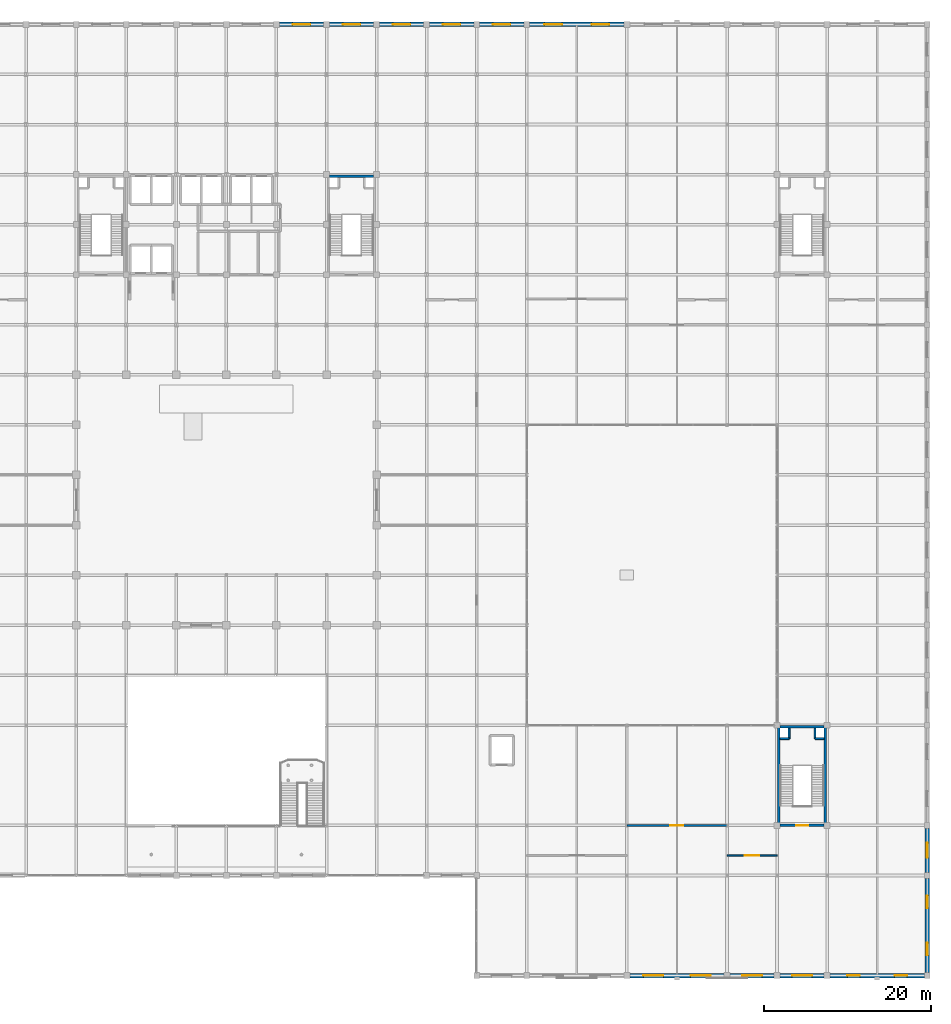
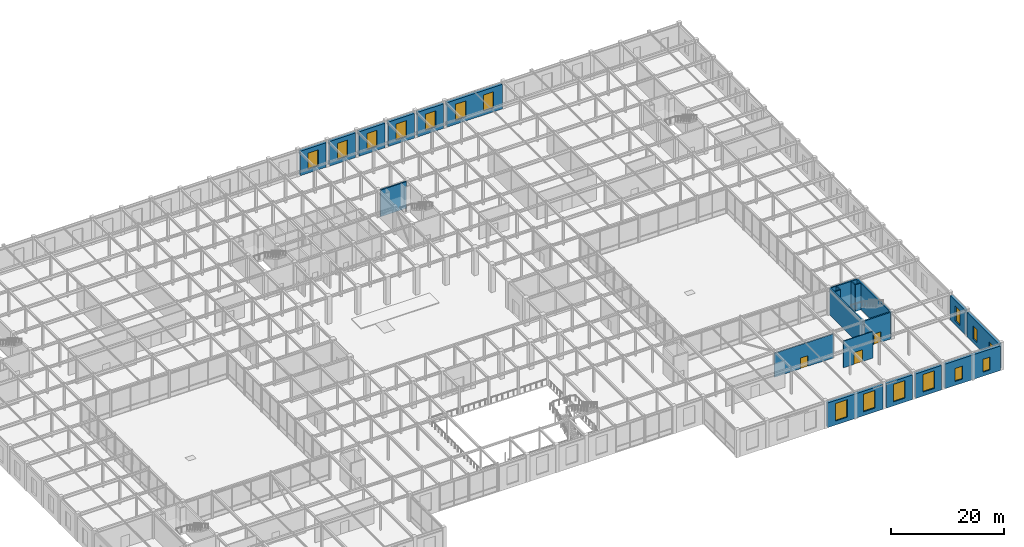
# One storey, part 103 of 108: 23 walls, 16 windows, 3 doors, 19 openings.
"""IFC4 building model written with IfcOpenShell, lengths in metres."""

from ifc_helpers import new_model, si_unit, direction, frame, frame_2d, origin, place, context, subcontext, project, spatial, rectangle, extrude, material, layer, layer_set, type_object, element, fill, save


model = new_model("IFC4")

# Units and contexts
model_context = context("Model", 3, precision=1e-05, world=origin(), true_north=direction((0.0, 1.0)))
body_context = subcontext(model_context, "Body", "Model", "MODEL_VIEW")
ifc_project = project(units=[si_unit("LENGTHUNIT", "METRE"), si_unit("AREAUNIT", "SQUARE_METRE"), si_unit("VOLUMEUNIT", "CUBIC_METRE"), si_unit("PLANEANGLEUNIT", "RADIAN"), si_unit("MASSUNIT", "GRAM", prefix="KILO")], contexts=[model_context])

# Site, building, storey
site_placement = place(None, origin())
site = spatial("IfcSite", under=ifc_project, at=site_placement, CompositionType="ELEMENT")
building_placement = place(site_placement, origin())
building = spatial("IfcBuilding", under=site, at=building_placement, Name="Zlatovratsky Civic Hall", CompositionType="ELEMENT")
storey_placement = place(building_placement, frame((0.0, 0.0, 6.0)))
storey = spatial("IfcBuildingStorey", under=building, at=storey_placement, Name="L02", CompositionType="ELEMENT", Elevation=6.0)

# Wall, opening, door
ifc_material_1 = material(Name="Acoustic ceramic blockwork", Category="masonry")
ifc_layer_1 = layer(ifc_material_1, 0.179931640625)
ifc_layer_set_1 = layer_set([ifc_layer_1], Name="Acoustic ceramic blockwork")
wall_type_1 = type_object("IfcWallType", Name="Wall_AcousticChamberPartition_180", PredefinedType="PARTITIONING", material=ifc_layer_set_1)
wall_1_placement = place(storey_placement, frame((144.0, 14.39990234375, 0.0), z_axis=(0.0, 0.0, 1.0), x_axis=(1.0, 0.0, 0.0)))
wall_1 = element("IfcWall", 1, at=wall_1_placement, inside=storey, type_object=wall_type_1, Name="WL-6123", PredefinedType="PARTITIONING", context=body_context, shape_type="SweptSolid", body=[
    extrude(rectangle(XDim=6.0, YDim=0.179931640625, at=frame_2d((3.0, 0.0))), origin(), (0.0, 0.0, 1.0), 5.760009765625),
])
opening_1_placement = place(wall_1_placement, frame((2.125, 0.0, 0.0)))
opening_1 = element("IfcOpeningElement", 2, at=opening_1_placement, cuts=wall_1, Name="Opening D-13", PredefinedType="OPENING", context=body_context, shape_type="SweptSolid", body=[
    extrude(rectangle(XDim=1.75, YDim=2.550048828125, at=frame_2d((0.875, 1.27490234375))), frame((0.0, 0.10498046875, 0.0), z_axis=(0.0, -1.0, 0.0), x_axis=(1.0, 0.0, 0.0)), (0.0, 0.0, 1.0), 0.209716796875),
])
ifc_material_2 = material(Name="Solid oak joinery in steel frame", Category="steel")
door_type_1 = type_object("IfcDoorType", Name="Door_CommitteeSuiteDouble_1750x2550", OperationType="DOUBLE_DOOR_SINGLE_SWING", PredefinedType="DOOR", material=ifc_material_2)
door_1_placement = place(opening_1_placement, origin())
door_1 = element("IfcDoor", 3, at=door_1_placement, inside=storey, type_object=door_type_1, Name="DR-5264", OperationType="DOUBLE_DOOR_SINGLE_SWING", OverallHeight=2.550048828125, OverallWidth=1.75, PredefinedType="DOOR", context=body_context, shape_type="SweptSolid", body=[
    extrude(rectangle(XDim=1.75, YDim=2.550048828125, at=frame_2d((0.875, 1.27490234375))), frame((0.0, 0.02490234375, 0.0), z_axis=(0.0, -1.0, 0.0), x_axis=(1.0, 0.0, 0.0)), (0.0, 0.0, 1.0), 0.050048828125),
])
fill(opening_1, door_1)

ifc_layer_2 = layer(ifc_material_1, 0.260009765625)
ifc_layer_set_2 = layer_set([ifc_layer_2], Name="Acoustic ceramic blockwork")
wall_type_2 = type_object("IfcWallType", Name="Wall_ArchiveCompartment_260", PredefinedType="PARTITIONING", material=ifc_layer_set_2)
wall_2_placement = place(storey_placement, frame((132.0, 18.0, 0.0), z_axis=(0.0, 0.0, 1.0), x_axis=(1.0, 0.0, 0.0)))
wall_2 = element("IfcWall", 4, at=wall_2_placement, inside=storey, type_object=wall_type_2, Name="WL-6130", PredefinedType="PARTITIONING", context=body_context, shape_type="SweptSolid", body=[
    extrude(rectangle(XDim=12.0, YDim=0.260009765625, at=frame_2d((6.0, 0.0))), origin(), (0.0, 0.0, 1.0), 5.177978515625),
])
opening_2_placement = place(wall_2_placement, frame((5.22509765625, 0.0, 0.0)))
opening_2 = element("IfcOpeningElement", 5, at=opening_2_placement, cuts=wall_2, Name="Opening D-15", PredefinedType="OPENING", context=body_context, shape_type="SweptSolid", body=[
    extrude(rectangle(XDim=1.550048828125, YDim=2.300048828125, at=frame_2d((0.77490234375, 1.14990234375))), frame((0.0, 0.14501953125, 0.0), z_axis=(0.0, -1.0, 0.0), x_axis=(1.0, 0.0, 0.0)), (0.0, 0.0, 1.0), 0.289794921875),
])
ifc_material_3 = material(Name="Insulated painted fire-rated steel leaf", Category="steel")
door_type_2 = type_object("IfcDoorType", Name="Door_CompactArchiveFire_1550x2300", OperationType="DOUBLE_DOOR_SINGLE_SWING", PredefinedType="DOOR", material=ifc_material_3)
door_2_placement = place(opening_2_placement, origin())
door_2 = element("IfcDoor", 6, at=door_2_placement, inside=storey, type_object=door_type_2, Name="DR-5271", OperationType="DOUBLE_DOOR_SINGLE_SWING", OverallHeight=2.300048828125, OverallWidth=1.550048828125, PredefinedType="DOOR", context=body_context, shape_type="SweptSolid", body=[
    extrude(rectangle(XDim=1.550048828125, YDim=2.300048828125, at=frame_2d((0.77490234375, 1.14990234375))), frame((0.0, 0.02490234375, 0.0), z_axis=(0.0, -1.0, 0.0), x_axis=(1.0, 0.0, 0.0)), (0.0, 0.0, 1.0), 0.050048828125),
])
fill(opening_2, door_2)

# Wall, openings, windows
ifc_layer_3 = layer(ifc_material_1, 0.39990234375, Name="Backing")
ifc_material_4 = material(Name="Polished Karelian granite ashlar", Category="masonry")
ifc_layer_4 = layer(ifc_material_4, 0.139892578125, Name="Finish")
ifc_layer_set_3 = layer_set([ifc_layer_3, ifc_layer_4], Name="Acoustic ceramic blockwork")
wall_type_3 = type_object("IfcWallType", Name="Wall_PodiumGraniteArcade_540", PredefinedType="SOLIDWALL", material=ifc_layer_set_3)
wall_3_placement = place(storey_placement, frame((132.35009765625, 0.0, 0.0), z_axis=(0.0, 0.0, 1.0), x_axis=(1.0, 0.0, 0.0)))
wall_3 = element("IfcWall", 7, at=wall_3_placement, inside=storey, type_object=wall_type_3, Name="WL-0175", PredefinedType="SOLIDWALL", context=body_context, shape_type="SweptSolid", body=[
    extrude(rectangle(XDim=11.2998046875, YDim=0.5400390625, at=frame_2d((5.64990234375, 0.0))), origin(), (0.0, 0.0, 1.0), 5.31005859375),
])
opening_3_placement = place(wall_3_placement, frame((1.625, 0.0, 0.85009765625)))
opening_3 = element("IfcOpeningElement", 8, at=opening_3_placement, cuts=wall_3, Name="Opening WN-04", PredefinedType="OPENING", context=body_context, shape_type="SweptSolid", body=[
    extrude(rectangle(XDim=2.39990234375, YDim=3.800048828125, at=frame_2d((1.199951171875, 1.89990234375))), frame((0.0, 0.284912109375, 0.0), z_axis=(0.0, -1.0, 0.0), x_axis=(1.0, 0.0, 0.0)), (0.0, 0.0, 1.0), 0.56982421875),
])
opening_4_placement = place(wall_3_placement, frame((7.27490234375, 0.0, 0.85009765625)))
opening_4 = element("IfcOpeningElement", 9, at=opening_4_placement, cuts=wall_3, Name="Opening WN-04", PredefinedType="OPENING", context=body_context, shape_type="SweptSolid", body=[
    extrude(rectangle(XDim=2.39990234375, YDim=3.800048828125, at=frame_2d((1.199951171875, 1.89990234375))), frame((0.0, 0.284912109375, 0.0), z_axis=(0.0, -1.0, 0.0), x_axis=(1.0, 0.0, 0.0)), (0.0, 0.0, 1.0), 0.56982421875),
])
ifc_material_5 = material(Name="Low-E laminated double glazing", Category="glass")
window_type_1 = type_object("IfcWindowType", Name="Window_PianoNobileGrand_2400x3800", PartitioningType="SINGLE_PANEL", PredefinedType="WINDOW", material=ifc_material_5)
window_1_placement = place(opening_3_placement, origin())
window_1 = element("IfcWindow", 10, at=window_1_placement, inside=storey, type_object=window_type_1, Name="WN-0089", OverallHeight=3.800048828125, OverallWidth=2.39990234375, PartitioningType="SINGLE_PANEL", PredefinedType="WINDOW", context=body_context, shape_type="SweptSolid", body=[
    extrude(rectangle(XDim=2.39990234375, YDim=3.800048828125, at=frame_2d((1.199951171875, 1.89990234375))), frame((0.0, 0.030029296875, 0.0), z_axis=(0.0, -1.0, 0.0), x_axis=(1.0, 0.0, 0.0)), (0.0, 0.0, 1.0), 0.06005859375),
])
fill(opening_3, window_1)
window_2_placement = place(opening_4_placement, origin())
window_2 = element("IfcWindow", 11, at=window_2_placement, inside=storey, type_object=window_type_1, Name="WN-0090", OverallHeight=3.800048828125, OverallWidth=2.39990234375, PartitioningType="SINGLE_PANEL", PredefinedType="WINDOW", context=body_context, shape_type="SweptSolid", body=[
    extrude(rectangle(XDim=2.39990234375, YDim=3.800048828125, at=frame_2d((1.199951171875, 1.89990234375))), frame((0.0, 0.030029296875, 0.0), z_axis=(0.0, -1.0, 0.0), x_axis=(1.0, 0.0, 0.0)), (0.0, 0.0, 1.0), 0.06005859375),
])
fill(opening_4, window_2)

# Wall, opening, window
wall_4_placement = place(storey_placement, frame((144.35009765625, 0.0, 0.0), z_axis=(0.0, 0.0, 1.0), x_axis=(1.0, 0.0, 0.0)))
wall_4 = element("IfcWall", 12, at=wall_4_placement, inside=storey, type_object=wall_type_3, Name="WL-0176", PredefinedType="SOLIDWALL", context=body_context, shape_type="SweptSolid", body=[
    extrude(rectangle(XDim=5.2998046875, YDim=0.5400390625, at=frame_2d((2.64990234375, 0.0))), origin(), (0.0, 0.0, 1.0), 5.31005859375),
])
opening_5_placement = place(wall_4_placement, frame((1.449951171875, 0.0, 0.85009765625)))
opening_5 = element("IfcOpeningElement", 13, at=opening_5_placement, cuts=wall_4, Name="Opening WN-04", PredefinedType="OPENING", context=body_context, shape_type="SweptSolid", body=[
    extrude(rectangle(XDim=2.39990234375, YDim=3.800048828125, at=frame_2d((1.199951171875, 1.89990234375))), frame((0.0, 0.284912109375, 0.0), z_axis=(0.0, -1.0, 0.0), x_axis=(1.0, 0.0, 0.0)), (0.0, 0.0, 1.0), 0.56982421875),
])
window_3_placement = place(opening_5_placement, origin())
window_3 = element("IfcWindow", 14, at=window_3_placement, inside=storey, type_object=window_type_1, Name="WN-0091", OverallHeight=3.800048828125, OverallWidth=2.39990234375, PartitioningType="SINGLE_PANEL", PredefinedType="WINDOW", context=body_context, shape_type="SweptSolid", body=[
    extrude(rectangle(XDim=2.39990234375, YDim=3.800048828125, at=frame_2d((1.199951171875, 1.89990234375))), frame((0.0, 0.030029296875, 0.0), z_axis=(0.0, -1.0, 0.0), x_axis=(1.0, 0.0, 0.0)), (0.0, 0.0, 1.0), 0.06005859375),
])
fill(opening_5, window_3)

wall_5_placement = place(storey_placement, frame((150.35009765625, 0.0, 0.0), z_axis=(0.0, 0.0, 1.0), x_axis=(1.0, 0.0, 0.0)))
wall_5 = element("IfcWall", 15, at=wall_5_placement, inside=storey, type_object=wall_type_3, Name="WL-0177", PredefinedType="SOLIDWALL", context=body_context, shape_type="SweptSolid", body=[
    extrude(rectangle(XDim=5.2998046875, YDim=0.5400390625, at=frame_2d((2.64990234375, 0.0))), origin(), (0.0, 0.0, 1.0), 5.31005859375),
])
opening_6_placement = place(wall_5_placement, frame((1.449951171875, 0.0, 0.85009765625)))
opening_6 = element("IfcOpeningElement", 16, at=opening_6_placement, cuts=wall_5, Name="Opening WN-04", PredefinedType="OPENING", context=body_context, shape_type="SweptSolid", body=[
    extrude(rectangle(XDim=2.39990234375, YDim=3.800048828125, at=frame_2d((1.199951171875, 1.89990234375))), frame((0.0, 0.284912109375, 0.0), z_axis=(0.0, -1.0, 0.0), x_axis=(1.0, 0.0, 0.0)), (0.0, 0.0, 1.0), 0.56982421875),
])
window_4_placement = place(opening_6_placement, origin())
window_4 = element("IfcWindow", 17, at=window_4_placement, inside=storey, type_object=window_type_1, Name="WN-0092", OverallHeight=3.800048828125, OverallWidth=2.39990234375, PartitioningType="SINGLE_PANEL", PredefinedType="WINDOW", context=body_context, shape_type="SweptSolid", body=[
    extrude(rectangle(XDim=2.39990234375, YDim=3.800048828125, at=frame_2d((1.199951171875, 1.89990234375))), frame((0.0, 0.030029296875, 0.0), z_axis=(0.0, -1.0, 0.0), x_axis=(1.0, 0.0, 0.0)), (0.0, 0.0, 1.0), 0.06005859375),
])
fill(opening_6, window_4)

# Wall, openings, windows
wall_6_placement = place(storey_placement, frame((156.35009765625, 0.0, 0.0), z_axis=(0.0, 0.0, 1.0), x_axis=(1.0, 0.0, 0.0)))
wall_6 = element("IfcWall", 18, at=wall_6_placement, inside=storey, type_object=wall_type_3, Name="WL-0178", PredefinedType="SOLIDWALL", context=body_context, shape_type="SweptSolid", body=[
    extrude(rectangle(XDim=11.2998046875, YDim=0.5400390625, at=frame_2d((5.64990234375, 0.0))), origin(), (0.0, 0.0, 1.0), 5.31005859375),
])
opening_7_placement = place(wall_6_placement, frame((2.074951171875, 0.0, 0.85009765625)))
opening_7 = element("IfcOpeningElement", 19, at=opening_7_placement, cuts=wall_6, Name="Opening WN-27", PredefinedType="OPENING", context=body_context, shape_type="SweptSolid", body=[
    extrude(rectangle(XDim=1.5, YDim=2.800048828125, at=frame_2d((0.75, 1.39990234375))), frame((0.0, 0.284912109375, 0.0), z_axis=(0.0, -1.0, 0.0), x_axis=(1.0, 0.0, 0.0)), (0.0, 0.0, 1.0), 0.56982421875),
])
opening_8_placement = place(wall_6_placement, frame((7.72509765625, 0.0, 0.85009765625)))
opening_8 = element("IfcOpeningElement", 20, at=opening_8_placement, cuts=wall_6, Name="Opening WN-27", PredefinedType="OPENING", context=body_context, shape_type="SweptSolid", body=[
    extrude(rectangle(XDim=1.5, YDim=2.800048828125, at=frame_2d((0.75, 1.39990234375))), frame((0.0, 0.284912109375, 0.0), z_axis=(0.0, -1.0, 0.0), x_axis=(1.0, 0.0, 0.0)), (0.0, 0.0, 1.0), 0.56982421875),
])
window_type_2 = type_object("IfcWindowType", Name="Window_CornerBastionPodium_1500x2800", PartitioningType="SINGLE_PANEL", PredefinedType="WINDOW", material=ifc_material_5)
window_5_placement = place(opening_7_placement, origin())
window_5 = element("IfcWindow", 21, at=window_5_placement, inside=storey, type_object=window_type_2, Name="WN-0093", OverallHeight=2.800048828125, OverallWidth=1.5, PartitioningType="SINGLE_PANEL", PredefinedType="WINDOW", context=body_context, shape_type="SweptSolid", body=[
    extrude(rectangle(XDim=1.5, YDim=2.800048828125, at=frame_2d((0.75, 1.39990234375))), frame((0.0, 0.030029296875, 0.0), z_axis=(0.0, -1.0, 0.0), x_axis=(1.0, 0.0, 0.0)), (0.0, 0.0, 1.0), 0.06005859375),
])
fill(opening_7, window_5)
window_6_placement = place(opening_8_placement, origin())
window_6 = element("IfcWindow", 22, at=window_6_placement, inside=storey, type_object=window_type_2, Name="WN-0094", OverallHeight=2.800048828125, OverallWidth=1.5, PartitioningType="SINGLE_PANEL", PredefinedType="WINDOW", context=body_context, shape_type="SweptSolid", body=[
    extrude(rectangle(XDim=1.5, YDim=2.800048828125, at=frame_2d((0.75, 1.39990234375))), frame((0.0, 0.030029296875, 0.0), z_axis=(0.0, -1.0, 0.0), x_axis=(1.0, 0.0, 0.0)), (0.0, 0.0, 1.0), 0.06005859375),
])
fill(opening_8, window_6)

# Wall, opening, window
wall_7_placement = place(storey_placement, frame((90.35009765625, 114.0, 0.0), z_axis=(0.0, 0.0, 1.0), x_axis=(1.0, 0.0, 0.0)))
wall_7 = element("IfcWall", 23, at=wall_7_placement, inside=storey, type_object=wall_type_3, Name="WL-0197", PredefinedType="SOLIDWALL", context=body_context, shape_type="SweptSolid", body=[
    extrude(rectangle(XDim=5.2998046875, YDim=0.5400390625, at=frame_2d((2.64990234375, 0.0))), origin(), (0.0, 0.0, 1.0), 5.31005859375),
])
opening_9_placement = place(wall_7_placement, frame((1.60009765625, 0.0, 0.85009765625)))
opening_9 = element("IfcOpeningElement", 24, at=opening_9_placement, cuts=wall_7, Name="Opening WN-05", PredefinedType="OPENING", context=body_context, shape_type="SweptSolid", body=[
    extrude(rectangle(XDim=2.10009765625, YDim=3.5, at=frame_2d((1.050048828125, 1.75))), frame((0.0, 0.284912109375, 0.0), z_axis=(0.0, -1.0, 0.0), x_axis=(1.0, 0.0, 0.0)), (0.0, 0.0, 1.0), 0.56982421875),
])
window_type_3 = type_object("IfcWindowType", Name="Window_PianoNobileWing_2100x3500", PartitioningType="SINGLE_PANEL", PredefinedType="WINDOW", material=ifc_material_5)
window_7_placement = place(opening_9_placement, origin())
window_7 = element("IfcWindow", 25, at=window_7_placement, inside=storey, type_object=window_type_3, Name="WN-0115", OverallHeight=3.5, OverallWidth=2.10009765625, PartitioningType="SINGLE_PANEL", PredefinedType="WINDOW", context=body_context, shape_type="SweptSolid", body=[
    extrude(rectangle(XDim=2.10009765625, YDim=3.5, at=frame_2d((1.050048828125, 1.75))), frame((0.0, 0.030029296875, 0.0), z_axis=(0.0, -1.0, 0.0), x_axis=(1.0, 0.0, 0.0)), (0.0, 0.0, 1.0), 0.06005859375),
])
fill(opening_9, window_7)

wall_8_placement = place(storey_placement, frame((96.35009765625, 114.0, 0.0), z_axis=(0.0, 0.0, 1.0), x_axis=(1.0, 0.0, 0.0)))
wall_8 = element("IfcWall", 26, at=wall_8_placement, inside=storey, type_object=wall_type_3, Name="WL-0198", PredefinedType="SOLIDWALL", context=body_context, shape_type="SweptSolid", body=[
    extrude(rectangle(XDim=5.2998046875, YDim=0.5400390625, at=frame_2d((2.64990234375, 0.0))), origin(), (0.0, 0.0, 1.0), 5.31005859375),
])
opening_10_placement = place(wall_8_placement, frame((1.60009765625, 0.0, 0.85009765625)))
opening_10 = element("IfcOpeningElement", 27, at=opening_10_placement, cuts=wall_8, Name="Opening WN-05", PredefinedType="OPENING", context=body_context, shape_type="SweptSolid", body=[
    extrude(rectangle(XDim=2.10009765625, YDim=3.5, at=frame_2d((1.050048828125, 1.75))), frame((0.0, 0.284912109375, 0.0), z_axis=(0.0, -1.0, 0.0), x_axis=(1.0, 0.0, 0.0)), (0.0, 0.0, 1.0), 0.56982421875),
])
window_8_placement = place(opening_10_placement, origin())
window_8 = element("IfcWindow", 28, at=window_8_placement, inside=storey, type_object=window_type_3, Name="WN-0116", OverallHeight=3.5, OverallWidth=2.10009765625, PartitioningType="SINGLE_PANEL", PredefinedType="WINDOW", context=body_context, shape_type="SweptSolid", body=[
    extrude(rectangle(XDim=2.10009765625, YDim=3.5, at=frame_2d((1.050048828125, 1.75))), frame((0.0, 0.030029296875, 0.0), z_axis=(0.0, -1.0, 0.0), x_axis=(1.0, 0.0, 0.0)), (0.0, 0.0, 1.0), 0.06005859375),
])
fill(opening_10, window_8)

wall_9_placement = place(storey_placement, frame((102.35009765625, 114.0, 0.0), z_axis=(0.0, 0.0, 1.0), x_axis=(1.0, 0.0, 0.0)))
wall_9 = element("IfcWall", 29, at=wall_9_placement, inside=storey, type_object=wall_type_3, Name="WL-0199", PredefinedType="SOLIDWALL", context=body_context, shape_type="SweptSolid", body=[
    extrude(rectangle(XDim=5.2998046875, YDim=0.5400390625, at=frame_2d((2.64990234375, 0.0))), origin(), (0.0, 0.0, 1.0), 5.31005859375),
])
opening_11_placement = place(wall_9_placement, frame((1.60009765625, 0.0, 0.85009765625)))
opening_11 = element("IfcOpeningElement", 30, at=opening_11_placement, cuts=wall_9, Name="Opening WN-05", PredefinedType="OPENING", context=body_context, shape_type="SweptSolid", body=[
    extrude(rectangle(XDim=2.10009765625, YDim=3.5, at=frame_2d((1.050048828125, 1.75))), frame((0.0, 0.284912109375, 0.0), z_axis=(0.0, -1.0, 0.0), x_axis=(1.0, 0.0, 0.0)), (0.0, 0.0, 1.0), 0.56982421875),
])
window_9_placement = place(opening_11_placement, origin())
window_9 = element("IfcWindow", 31, at=window_9_placement, inside=storey, type_object=window_type_3, Name="WN-0117", OverallHeight=3.5, OverallWidth=2.10009765625, PartitioningType="SINGLE_PANEL", PredefinedType="WINDOW", context=body_context, shape_type="SweptSolid", body=[
    extrude(rectangle(XDim=2.10009765625, YDim=3.5, at=frame_2d((1.050048828125, 1.75))), frame((0.0, 0.030029296875, 0.0), z_axis=(0.0, -1.0, 0.0), x_axis=(1.0, 0.0, 0.0)), (0.0, 0.0, 1.0), 0.06005859375),
])
fill(opening_11, window_9)

wall_10_placement = place(storey_placement, frame((108.35009765625, 114.0, 0.0), z_axis=(0.0, 0.0, 1.0), x_axis=(1.0, 0.0, 0.0)))
wall_10 = element("IfcWall", 32, at=wall_10_placement, inside=storey, type_object=wall_type_3, Name="WL-0200", PredefinedType="SOLIDWALL", context=body_context, shape_type="SweptSolid", body=[
    extrude(rectangle(XDim=5.2998046875, YDim=0.5400390625, at=frame_2d((2.64990234375, 0.0))), origin(), (0.0, 0.0, 1.0), 5.31005859375),
])
opening_12_placement = place(wall_10_placement, frame((1.60009765625, 0.0, 0.85009765625)))
opening_12 = element("IfcOpeningElement", 33, at=opening_12_placement, cuts=wall_10, Name="Opening WN-05", PredefinedType="OPENING", context=body_context, shape_type="SweptSolid", body=[
    extrude(rectangle(XDim=2.10009765625, YDim=3.5, at=frame_2d((1.050048828125, 1.75))), frame((0.0, 0.284912109375, 0.0), z_axis=(0.0, -1.0, 0.0), x_axis=(1.0, 0.0, 0.0)), (0.0, 0.0, 1.0), 0.56982421875),
])
window_10_placement = place(opening_12_placement, origin())
window_10 = element("IfcWindow", 34, at=window_10_placement, inside=storey, type_object=window_type_3, Name="WN-0118", OverallHeight=3.5, OverallWidth=2.10009765625, PartitioningType="SINGLE_PANEL", PredefinedType="WINDOW", context=body_context, shape_type="SweptSolid", body=[
    extrude(rectangle(XDim=2.10009765625, YDim=3.5, at=frame_2d((1.050048828125, 1.75))), frame((0.0, 0.030029296875, 0.0), z_axis=(0.0, -1.0, 0.0), x_axis=(1.0, 0.0, 0.0)), (0.0, 0.0, 1.0), 0.06005859375),
])
fill(opening_12, window_10)

wall_11_placement = place(storey_placement, frame((114.35009765625, 114.0, 0.0), z_axis=(0.0, 0.0, 1.0), x_axis=(1.0, 0.0, 0.0)))
wall_11 = element("IfcWall", 35, at=wall_11_placement, inside=storey, type_object=wall_type_3, Name="WL-0201", PredefinedType="SOLIDWALL", context=body_context, shape_type="SweptSolid", body=[
    extrude(rectangle(XDim=5.2998046875, YDim=0.5400390625, at=frame_2d((2.64990234375, 0.0))), origin(), (0.0, 0.0, 1.0), 5.31005859375),
])
opening_13_placement = place(wall_11_placement, frame((1.60009765625, 0.0, 0.85009765625)))
opening_13 = element("IfcOpeningElement", 36, at=opening_13_placement, cuts=wall_11, Name="Opening WN-05", PredefinedType="OPENING", context=body_context, shape_type="SweptSolid", body=[
    extrude(rectangle(XDim=2.10009765625, YDim=3.5, at=frame_2d((1.050048828125, 1.75))), frame((0.0, 0.284912109375, 0.0), z_axis=(0.0, -1.0, 0.0), x_axis=(1.0, 0.0, 0.0)), (0.0, 0.0, 1.0), 0.56982421875),
])
window_11_placement = place(opening_13_placement, origin())
window_11 = element("IfcWindow", 37, at=window_11_placement, inside=storey, type_object=window_type_3, Name="WN-0119", OverallHeight=3.5, OverallWidth=2.10009765625, PartitioningType="SINGLE_PANEL", PredefinedType="WINDOW", context=body_context, shape_type="SweptSolid", body=[
    extrude(rectangle(XDim=2.10009765625, YDim=3.5, at=frame_2d((1.050048828125, 1.75))), frame((0.0, 0.030029296875, 0.0), z_axis=(0.0, -1.0, 0.0), x_axis=(1.0, 0.0, 0.0)), (0.0, 0.0, 1.0), 0.06005859375),
])
fill(opening_13, window_11)

# Wall, openings, windows
wall_12_placement = place(storey_placement, frame((120.35009765625, 114.0, 0.0), z_axis=(0.0, 0.0, 1.0), x_axis=(1.0, 0.0, 0.0)))
wall_12 = element("IfcWall", 38, at=wall_12_placement, inside=storey, type_object=wall_type_3, Name="WL-0202", PredefinedType="SOLIDWALL", context=body_context, shape_type="SweptSolid", body=[
    extrude(rectangle(XDim=11.2998046875, YDim=0.5400390625, at=frame_2d((5.64990234375, 0.0))), origin(), (0.0, 0.0, 1.0), 5.31005859375),
])
opening_14_placement = place(wall_12_placement, frame((1.77490234375, 0.0, 0.85009765625)))
opening_14 = element("IfcOpeningElement", 39, at=opening_14_placement, cuts=wall_12, Name="Opening WN-05", PredefinedType="OPENING", context=body_context, shape_type="SweptSolid", body=[
    extrude(rectangle(XDim=2.10009765625, YDim=3.5, at=frame_2d((1.050048828125, 1.75))), frame((0.0, 0.284912109375, 0.0), z_axis=(0.0, -1.0, 0.0), x_axis=(1.0, 0.0, 0.0)), (0.0, 0.0, 1.0), 0.56982421875),
])
opening_15_placement = place(wall_12_placement, frame((7.425048828125, 0.0, 0.85009765625)))
opening_15 = element("IfcOpeningElement", 40, at=opening_15_placement, cuts=wall_12, Name="Opening WN-05", PredefinedType="OPENING", context=body_context, shape_type="SweptSolid", body=[
    extrude(rectangle(XDim=2.10009765625, YDim=3.5, at=frame_2d((1.050048828125, 1.75))), frame((0.0, 0.284912109375, 0.0), z_axis=(0.0, -1.0, 0.0), x_axis=(1.0, 0.0, 0.0)), (0.0, 0.0, 1.0), 0.56982421875),
])
window_12_placement = place(opening_14_placement, origin())
window_12 = element("IfcWindow", 41, at=window_12_placement, inside=storey, type_object=window_type_3, Name="WN-0120", OverallHeight=3.5, OverallWidth=2.10009765625, PartitioningType="SINGLE_PANEL", PredefinedType="WINDOW", context=body_context, shape_type="SweptSolid", body=[
    extrude(rectangle(XDim=2.10009765625, YDim=3.5, at=frame_2d((1.050048828125, 1.75))), frame((0.0, 0.030029296875, 0.0), z_axis=(0.0, -1.0, 0.0), x_axis=(1.0, 0.0, 0.0)), (0.0, 0.0, 1.0), 0.06005859375),
])
fill(opening_14, window_12)
window_13_placement = place(opening_15_placement, origin())
window_13 = element("IfcWindow", 42, at=window_13_placement, inside=storey, type_object=window_type_3, Name="WN-0121", OverallHeight=3.5, OverallWidth=2.10009765625, PartitioningType="SINGLE_PANEL", PredefinedType="WINDOW", context=body_context, shape_type="SweptSolid", body=[
    extrude(rectangle(XDim=2.10009765625, YDim=3.5, at=frame_2d((1.050048828125, 1.75))), frame((0.0, 0.030029296875, 0.0), z_axis=(0.0, -1.0, 0.0), x_axis=(1.0, 0.0, 0.0)), (0.0, 0.0, 1.0), 0.06005859375),
])
fill(opening_15, window_13)

wall_13_placement = place(storey_placement, frame((168.0, 0.35009765625, 0.0), z_axis=(0.0, 0.0, 1.0), x_axis=(0.0, 1.0, 0.0)))
wall_13 = element("IfcWall", 43, at=wall_13_placement, inside=storey, type_object=wall_type_3, Name="WL-0224", PredefinedType="SOLIDWALL", context=body_context, shape_type="SweptSolid", body=[
    extrude(rectangle(XDim=11.2998046875, YDim=0.5400390625, at=frame_2d((5.64990234375, 0.0))), origin(), (0.0, 0.0, 1.0), 5.31005859375),
])
opening_16_placement = place(wall_13_placement, frame((2.074951171875, 0.0, 0.85009765625)))
opening_16 = element("IfcOpeningElement", 44, at=opening_16_placement, cuts=wall_13, Name="Opening WN-27", PredefinedType="OPENING", context=body_context, shape_type="SweptSolid", body=[
    extrude(rectangle(XDim=1.5, YDim=2.800048828125, at=frame_2d((0.75, 1.39990234375))), frame((0.0, 0.284912109375, 0.0), z_axis=(0.0, -1.0, 0.0), x_axis=(1.0, 0.0, 0.0)), (0.0, 0.0, 1.0), 0.56982421875),
])
opening_17_placement = place(wall_13_placement, frame((7.72509765625, 0.0, 0.85009765625)))
opening_17 = element("IfcOpeningElement", 45, at=opening_17_placement, cuts=wall_13, Name="Opening WN-27", PredefinedType="OPENING", context=body_context, shape_type="SweptSolid", body=[
    extrude(rectangle(XDim=1.5, YDim=2.800048828125, at=frame_2d((0.75, 1.39990234375))), frame((0.0, 0.284912109375, 0.0), z_axis=(0.0, -1.0, 0.0), x_axis=(1.0, 0.0, 0.0)), (0.0, 0.0, 1.0), 0.56982421875),
])
window_14_placement = place(opening_16_placement, origin())
window_14 = element("IfcWindow", 46, at=window_14_placement, inside=storey, type_object=window_type_2, Name="WN-0146", OverallHeight=2.800048828125, OverallWidth=1.5, PartitioningType="SINGLE_PANEL", PredefinedType="WINDOW", context=body_context, shape_type="SweptSolid", body=[
    extrude(rectangle(XDim=1.5, YDim=2.800048828125, at=frame_2d((0.75, 1.39990234375))), frame((0.0, 0.030029296875, 0.0), z_axis=(0.0, -1.0, 0.0), x_axis=(1.0, 0.0, 0.0)), (0.0, 0.0, 1.0), 0.06005859375),
])
fill(opening_16, window_14)
window_15_placement = place(opening_17_placement, origin())
window_15 = element("IfcWindow", 47, at=window_15_placement, inside=storey, type_object=window_type_2, Name="WN-0147", OverallHeight=2.800048828125, OverallWidth=1.5, PartitioningType="SINGLE_PANEL", PredefinedType="WINDOW", context=body_context, shape_type="SweptSolid", body=[
    extrude(rectangle(XDim=1.5, YDim=2.800048828125, at=frame_2d((0.75, 1.39990234375))), frame((0.0, 0.030029296875, 0.0), z_axis=(0.0, -1.0, 0.0), x_axis=(1.0, 0.0, 0.0)), (0.0, 0.0, 1.0), 0.06005859375),
])
fill(opening_17, window_15)

# Wall, opening, window
wall_14_placement = place(storey_placement, frame((168.0, 12.35009765625, 0.0), z_axis=(0.0, 0.0, 1.0), x_axis=(0.0, 1.0, 0.0)))
wall_14 = element("IfcWall", 48, at=wall_14_placement, inside=storey, type_object=wall_type_3, Name="WL-0225", PredefinedType="SOLIDWALL", context=body_context, shape_type="SweptSolid", body=[
    extrude(rectangle(XDim=5.2998046875, YDim=0.5400390625, at=frame_2d((2.64990234375, 0.0))), origin(), (0.0, 0.0, 1.0), 5.31005859375),
])
opening_18_placement = place(wall_14_placement, frame((1.75, 0.0, 0.85009765625)))
opening_18 = element("IfcOpeningElement", 49, at=opening_18_placement, cuts=wall_14, Name="Opening WN-06", PredefinedType="OPENING", context=body_context, shape_type="SweptSolid", body=[
    extrude(rectangle(XDim=1.800048828125, YDim=3.300048828125, at=frame_2d((0.89990234375, 1.64990234375))), frame((0.0, 0.284912109375, 0.0), z_axis=(0.0, -1.0, 0.0), x_axis=(1.0, 0.0, 0.0)), (0.0, 0.0, 1.0), 0.56982421875),
])
window_type_4 = type_object("IfcWindowType", Name="Window_PianoNobileCourt_1800x3300", PartitioningType="SINGLE_PANEL", PredefinedType="WINDOW", material=ifc_material_5)
window_16_placement = place(opening_18_placement, origin())
window_16 = element("IfcWindow", 50, at=window_16_placement, inside=storey, type_object=window_type_4, Name="WN-0148", OverallHeight=3.300048828125, OverallWidth=1.800048828125, PartitioningType="SINGLE_PANEL", PredefinedType="WINDOW", context=body_context, shape_type="SweptSolid", body=[
    extrude(rectangle(XDim=1.800048828125, YDim=3.300048828125, at=frame_2d((0.89990234375, 1.64990234375))), frame((0.0, 0.030029296875, 0.0), z_axis=(0.0, -1.0, 0.0), x_axis=(1.0, 0.0, 0.0)), (0.0, 0.0, 1.0), 0.06005859375),
])
fill(opening_18, window_16)

# Walls
ifc_layer_5 = layer(ifc_material_1, 0.219970703125)
ifc_layer_set_4 = layer_set([ifc_layer_5], Name="Acoustic ceramic blockwork")
wall_type_4 = type_object("IfcWallType", Name="Wall_SanitaryWetCore_220", PredefinedType="PARTITIONING", material=ifc_layer_set_4)
wall_15_placement = place(storey_placement, frame((151.449951171875, 28.39990234375, 0.0), z_axis=(0.0, 0.0, 1.0), x_axis=(0.0, 1.0, 0.0)))
element("IfcWall", 51, at=wall_15_placement, inside=storey, type_object=wall_type_4, Name="WL-5369", PredefinedType="PARTITIONING", context=body_context, shape_type="SweptSolid", body=[
    extrude(rectangle(XDim=1.25, YDim=0.219970703125, at=frame_2d((0.625, 0.0))), origin(), (0.0, 0.0, 1.0), 5.760009765625),
])
wall_16_placement = place(storey_placement, frame((150.35009765625, 28.39990234375, 0.0), z_axis=(0.0, 0.0, 1.0), x_axis=(1.0, 0.0, 0.0)))
element("IfcWall", 52, at=wall_16_placement, inside=storey, type_object=wall_type_4, Name="WL-5370", PredefinedType="PARTITIONING", context=body_context, shape_type="SweptSolid", body=[
    extrude(rectangle(XDim=1.099853515625, YDim=0.219970703125, at=frame_2d((0.5498046875, 0.0))), origin(), (0.0, 0.0, 1.0), 5.760009765625),
])
wall_17_placement = place(storey_placement, frame((154.550048828125, 28.39990234375, 0.0), z_axis=(0.0, 0.0, 1.0), x_axis=(0.0, 1.0, 0.0)))
element("IfcWall", 53, at=wall_17_placement, inside=storey, type_object=wall_type_4, Name="WL-5371", PredefinedType="PARTITIONING", context=body_context, shape_type="SweptSolid", body=[
    extrude(rectangle(XDim=1.25, YDim=0.219970703125, at=frame_2d((0.625, 0.0))), origin(), (0.0, 0.0, 1.0), 5.760009765625),
])
wall_18_placement = place(storey_placement, frame((154.550048828125, 28.39990234375, 0.0), z_axis=(0.0, 0.0, 1.0), x_axis=(1.0, 0.0, 0.0)))
element("IfcWall", 54, at=wall_18_placement, inside=storey, type_object=wall_type_4, Name="WL-5372", PredefinedType="PARTITIONING", context=body_context, shape_type="SweptSolid", body=[
    extrude(rectangle(XDim=1.099853515625, YDim=0.219970703125, at=frame_2d((0.5498046875, 0.0))), origin(), (0.0, 0.0, 1.0), 5.760009765625),
])
ifc_material_6 = material(Name="Concrete C35/45 (B40)", Category="concrete")
ifc_layer_6 = layer(ifc_material_6, 0.300048828125)
ifc_layer_set_5 = layer_set([ifc_layer_6], Name="Concrete C35/45 (B40)")
wall_type_5 = type_object("IfcWallType", Name="Wall_StairAndLiftShaft_300", PredefinedType="SHEAR", material=ifc_layer_set_5)
wall_19_placement = place(storey_placement, frame((96.35009765625, 95.800048828125, 0.0), z_axis=(0.0, 0.0, 1.0), x_axis=(1.0, 0.0, 0.0)))
element("IfcWall", 55, at=wall_19_placement, inside=storey, type_object=wall_type_5, Name="WL-5176", PredefinedType="SHEAR", context=body_context, shape_type="SweptSolid", body=[
    extrude(rectangle(XDim=5.2998046875, YDim=0.300048828125, at=frame_2d((2.64990234375, 0.0))), origin(), (0.0, 0.0, 1.0), 5.760009765625),
])

# Wall, opening, door
wall_20_placement = place(storey_placement, frame((150.35009765625, 18.0, 0.0), z_axis=(0.0, 0.0, 1.0), x_axis=(1.0, 0.0, 0.0)))
wall_20 = element("IfcWall", 56, at=wall_20_placement, inside=storey, type_object=wall_type_5, Name="WL-5365", PredefinedType="SHEAR", context=body_context, shape_type="SweptSolid", body=[
    extrude(rectangle(XDim=5.2998046875, YDim=0.300048828125, at=frame_2d((2.64990234375, 0.0))), origin(), (0.0, 0.0, 1.0), 5.760009765625),
])
opening_19_placement = place(wall_20_placement, frame((1.925048828125, 0.0, 0.0)))
opening_19 = element("IfcOpeningElement", 57, at=opening_19_placement, cuts=wall_20, Name="Opening D-16", PredefinedType="OPENING", context=body_context, shape_type="SweptSolid", body=[
    extrude(rectangle(XDim=1.449951171875, YDim=2.25, at=frame_2d((0.72509765625, 1.125))), frame((0.0, 0.1650390625, 0.0), z_axis=(0.0, -1.0, 0.0), x_axis=(1.0, 0.0, 0.0)), (0.0, 0.0, 1.0), 0.329833984375),
])
door_type_3 = type_object("IfcDoorType", Name="Door_StairwellFirePodium_1450x2250", OperationType="NOTDEFINED", PredefinedType="DOOR", material=ifc_material_3)
door_3_placement = place(opening_19_placement, origin())
door_3 = element("IfcDoor", 58, at=door_3_placement, inside=storey, type_object=door_type_3, Name="DR-5046", OperationType="SINGLE_SWING_LEFT", OverallHeight=2.25, OverallWidth=1.449951171875, PredefinedType="DOOR", context=body_context, shape_type="SweptSolid", body=[
    extrude(rectangle(XDim=1.449951171875, YDim=2.25, at=frame_2d((0.72509765625, 1.125))), frame((0.0, 0.02490234375, 0.0), z_axis=(0.0, -1.0, 0.0), x_axis=(1.0, 0.0, 0.0)), (0.0, 0.0, 1.0), 0.050048828125),
])
fill(opening_19, door_3)

# Walls
wall_21_placement = place(storey_placement, frame((150.35009765625, 29.800048828125, 0.0), z_axis=(0.0, 0.0, 1.0), x_axis=(1.0, 0.0, 0.0)))
element("IfcWall", 59, at=wall_21_placement, inside=storey, type_object=wall_type_5, Name="WL-5366", PredefinedType="SHEAR", context=body_context, shape_type="SweptSolid", body=[
    extrude(rectangle(XDim=5.2998046875, YDim=0.300048828125, at=frame_2d((2.64990234375, 0.0))), origin(), (0.0, 0.0, 1.0), 5.760009765625),
])
for number, where, z_axis, x_axis, name in (
    (60, (150.199951171875, 18.0, 0.0), (0.0, 0.0, 1.0), (0.0, 1.0, 0.0), "WL-5367"),
    (61, (155.800048828125, 18.0, 0.0), (0.0, 0.0, 1.0), (0.0, 1.0, 0.0), "WL-5368"),
):
    element("IfcWall", number, at=place(storey_placement, frame(where, z_axis=z_axis, x_axis=x_axis)), inside=storey, type_object=wall_type_5, Name=name, PredefinedType="SHEAR", context=body_context, shape_type="SweptSolid", body=[
        extrude(rectangle(XDim=11.800048828125, YDim=0.300048828125, at=frame_2d((5.89990234375, 0.0))), origin(), (0.0, 0.0, 1.0), 5.760009765625),
    ])

save(model, "model.ifc")
